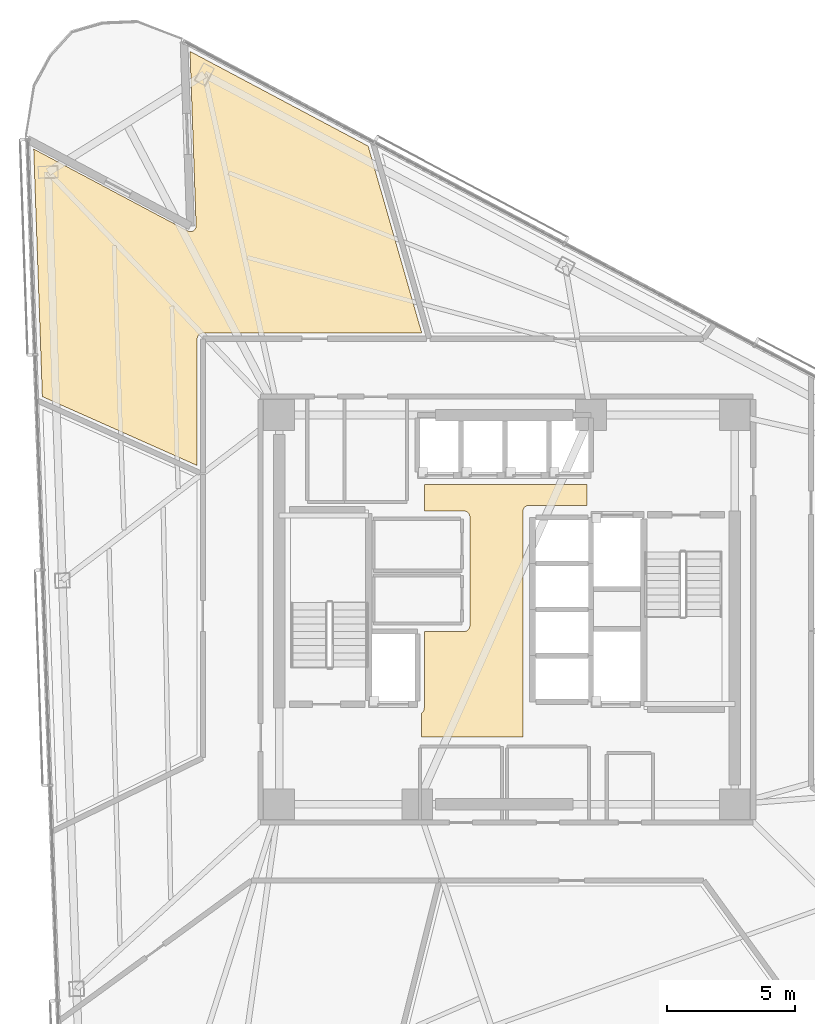
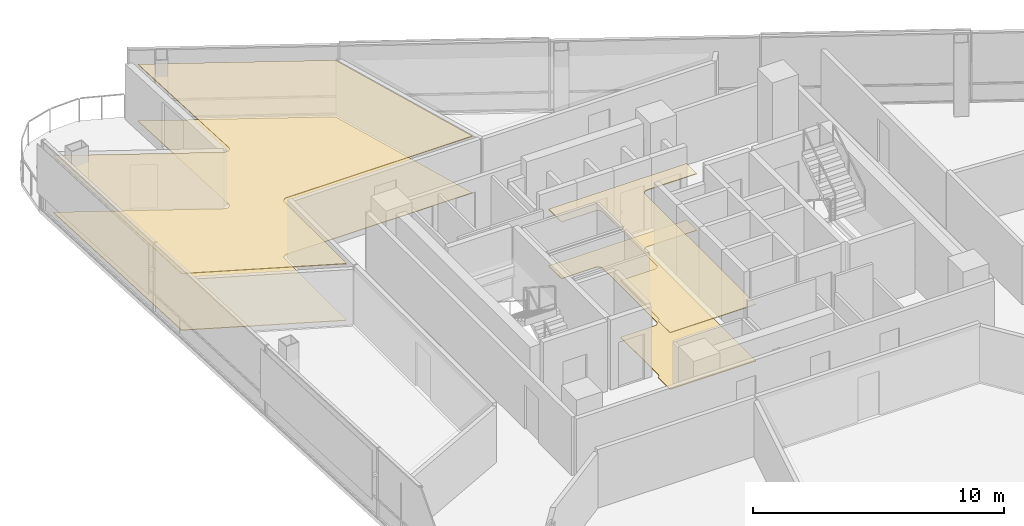
# One storey, part 19 of 21: 4 coverings.
"""IFC4 building model written with IfcOpenShell, lengths in metres."""

from ifc_helpers import new_model, si_unit, direction, frame, origin, place, context, subcontext, project, spatial, polyline, outline, extrude, material, layer, layer_set, type_object, element, save


model = new_model("IFC4")

# Units and contexts
model_context = context("Model", 3, precision=1e-05, world=origin(), true_north=direction((0.0, 1.0)))
body_context = subcontext(model_context, "Body", "Model", "MODEL_VIEW")
ifc_project = project(units=[si_unit("LENGTHUNIT", "METRE"), si_unit("AREAUNIT", "SQUARE_METRE"), si_unit("VOLUMEUNIT", "CUBIC_METRE"), si_unit("PLANEANGLEUNIT", "RADIAN"), si_unit("MASSUNIT", "GRAM", prefix="KILO")], contexts=[model_context])

# Site, building, storey
site_placement = place(None, origin())
site = spatial("IfcSite", under=ifc_project, at=site_placement, CompositionType="ELEMENT")
building_placement = place(site_placement, origin())
building = spatial("IfcBuilding", under=site, at=building_placement, Name="Tharavind Bronze Gate", CompositionType="ELEMENT")
storey_placement = place(building_placement, frame((0.0, 0.0, 156.800048828125)))
storey = spatial("IfcBuildingStorey", under=building, at=storey_placement, Name="L40", CompositionType="ELEMENT", Elevation=156.800048828125)

# Coverings
ifc_material_1 = material(Name="Perforated Bronze Acoustic Panel", Category="bronze")
ifc_layer_1 = layer(ifc_material_1, 0.044921875)
ifc_layer_set_1 = layer_set([ifc_layer_1], Name="Perforated Bronze Acoustic Panel")
covering_type_1 = type_object("IfcCoveringType", Name="ACOUSTIC BRONZE BAFFLE CEILING", PredefinedType="CEILING", material=ifc_layer_set_1)
covering_1_placement = place(storey_placement, frame((0.0, 0.0, 2.75)))
element("IfcCovering", 1, at=covering_1_placement, inside=storey, type_object=covering_type_1, Name="L40-C-LL suspended ceiling", PredefinedType="CEILING", context=body_context, shape_type="SweptSolid", body=[
    extrude(outline(polyline([(-3.330078125, -4.97998046875), (0.6298828125, -4.97998046875), (0.6298828125, 3.85009765625), (0.631103515625, 3.87158203125), (0.63427734375, 3.892822265625), (0.639404296875, 3.913818359375), (0.646728515625, 3.93408203125), (0.656005859375, 3.95361328125), (0.6669921875, 3.97216796875), (0.679931640625, 3.989501953125), (0.6943359375, 4.005615234375), (0.71044921875, 4.02001953125), (0.727783203125, 4.032958984375), (0.746337890625, 4.0439453125), (0.765869140625, 4.05322265625), (0.7861328125, 4.060546875), (0.80712890625, 4.06591796875), (0.828369140625, 4.06884765625), (0.85009765625, 4.070068359375), (3.1298828125, 4.070068359375), (3.1298828125, 4.8798828125), (-3.22998046875, 4.8798828125), (-3.22998046875, 3.85009765625), (-1.669921875, 3.85009765625), (-1.6484375, 3.848876953125), (-1.627197265625, 3.845703125), (-1.606201171875, 3.840576171875), (-1.585693359375, 3.833251953125), (-1.56640625, 3.823974609375), (-1.5478515625, 3.81298828125), (-1.530517578125, 3.800048828125), (-1.514404296875, 3.78564453125), (-1.5, 3.76953125), (-1.487060546875, 3.752197265625), (-1.47607421875, 3.733642578125), (-1.466796875, 3.714111328125), (-1.45947265625, 3.69384765625), (-1.4541015625, 3.6728515625), (-1.451171875, 3.651611328125), (-1.449951171875, 3.6298828125), (-1.449951171875, 1.43994140625), (-1.450439453125, 1.429931640625), (-1.449951171875, 1.419921875), (-1.449951171875, -0.6298828125), (-1.451171875, -0.651611328125), (-1.4541015625, -0.6728515625), (-1.45947265625, -0.69384765625), (-1.466796875, -0.714111328125), (-1.47607421875, -0.733642578125), (-1.487060546875, -0.752197265625), (-1.5, -0.76953125), (-1.514404296875, -0.78564453125), (-1.530517578125, -0.800048828125), (-1.5478515625, -0.81298828125), (-1.56640625, -0.823974609375), (-1.585693359375, -0.833251953125), (-1.606201171875, -0.840576171875), (-1.627197265625, -0.845703125), (-1.6484375, -0.848876953125), (-1.669921875, -0.85009765625), (-3.22998046875, -0.85009765625), (-3.22998046875, -3.85009765625), (-3.231201171875, -3.87158203125), (-3.234130859375, -3.892822265625), (-3.239501953125, -3.913818359375), (-3.24658203125, -3.93408203125), (-3.256103515625, -3.95361328125), (-3.26708984375, -3.97216796875), (-3.27978515625, -3.989501953125), (-3.29443359375, -4.005615234375), (-3.310302734375, -4.02001953125), (-3.327880859375, -4.032958984375), (-3.330078125, -4.0341796875), (-3.330078125, -4.97998046875)])), origin(), (0.0, 0.0, 1.0), 0.034912109375),
])
ifc_material_2 = material(Name="Engineered Oak & Carpet Tile", Category="wood")
ifc_layer_2 = layer(ifc_material_2, 0.02490234375)
ifc_layer_set_2 = layer_set([ifc_layer_2], Name="Engineered Oak & Carpet Tile")
covering_type_2 = type_object("IfcCoveringType", Name="ENGINEERED TIMBER FLOORING", PredefinedType="FLOORING", material=ifc_layer_set_2)
covering_2_placement = place(storey_placement, origin())
element("IfcCovering", 2, at=covering_2_placement, inside=storey, type_object=covering_type_2, Name="L40-RM-02 floor finish", PredefinedType="FLOORING", context=body_context, shape_type="SweptSolid", body=[
    extrude(outline(polyline([(-18.14892578125, 8.3212890625), (-12.10009765625, 5.628173828125), (-12.10009765625, 10.579345703125), (-12.099609375, 10.590087890625), (-12.099609375, 10.5908203125), (-12.09765625, 10.6123046875), (-12.093505859375, 10.63330078125), (-12.087158203125, 10.654052734375), (-12.078857421875, 10.674072265625), (-12.068603515625, 10.693115234375), (-12.056640625, 10.7109375), (-12.04296875, 10.727783203125), (-12.027587890625, 10.742919921875), (-12.010986328125, 10.756591796875), (-11.9931640625, 10.768798828125), (-11.97412109375, 10.77880859375), (-11.9541015625, 10.787109375), (-11.933349609375, 10.79345703125), (-11.912353515625, 10.797607421875), (-11.890869140625, 10.7998046875), (-11.89013671875, 10.7998046875), (-11.87939453125, 10.800048828125), (-3.32568359375, 10.800048828125), (-5.420654296875, 18.10595703125), (-12.380615234375, 21.806884765625), (-12.142822265625, 14.99267578125), (-12.142578125, 14.981689453125), (-12.142578125, 14.981201171875), (-12.14404296875, 14.959228515625), (-12.147705078125, 14.9375), (-12.1533203125, 14.91650390625), (-12.1611328125, 14.89599609375), (-12.1708984375, 14.876220703125), (-12.1826171875, 14.857666015625), (-12.1962890625, 14.84033203125), (-12.21142578125, 14.82470703125), (-12.22802734375, 14.810302734375), (-12.24609375, 14.7978515625), (-12.26513671875, 14.787109375), (-12.285400390625, 14.7783203125), (-12.30615234375, 14.771728515625), (-12.32763671875, 14.76708984375), (-12.349609375, 14.7646484375), (-12.371337890625, 14.764404296875), (-12.393310546875, 14.7666015625), (-12.414794921875, 14.7705078125), (-12.435791015625, 14.77685546875), (-12.4560546875, 14.78515625), (-12.45654296875, 14.785400390625), (-12.46630859375, 14.790283203125), (-18.486572265625, 17.991455078125), (-18.14892578125, 8.3212890625)])), origin(), (0.0, 0.0, 1.0), 0.02490234375),
])
ifc_material_3 = material(Name="Acoustic Gypsum Board", Category="gypsum")
ifc_layer_3 = layer(ifc_material_3, 0.030029296875)
ifc_layer_set_3 = layer_set([ifc_layer_3], Name="Acoustic Gypsum Board")
covering_type_3 = type_object("IfcCoveringType", Name="GYPSUM SUSPENDED CEILING", PredefinedType="CEILING", material=ifc_layer_set_3)
covering_3_placement = place(storey_placement, frame((0.0, 0.0, 2.75)))
element("IfcCovering", 3, at=covering_3_placement, inside=storey, type_object=covering_type_3, Name="L40-RM-02 suspended ceiling", PredefinedType="CEILING", context=body_context, shape_type="SweptSolid", body=[
    extrude(outline(polyline([(-18.14892578125, 8.3212890625), (-12.10009765625, 5.628173828125), (-12.10009765625, 10.579345703125), (-12.099609375, 10.590087890625), (-12.099609375, 10.5908203125), (-12.09765625, 10.6123046875), (-12.093505859375, 10.63330078125), (-12.087158203125, 10.654052734375), (-12.078857421875, 10.674072265625), (-12.068603515625, 10.693115234375), (-12.056640625, 10.7109375), (-12.04296875, 10.727783203125), (-12.027587890625, 10.742919921875), (-12.010986328125, 10.756591796875), (-11.9931640625, 10.768798828125), (-11.97412109375, 10.77880859375), (-11.9541015625, 10.787109375), (-11.933349609375, 10.79345703125), (-11.912353515625, 10.797607421875), (-11.890869140625, 10.7998046875), (-11.89013671875, 10.7998046875), (-11.87939453125, 10.800048828125), (-3.32568359375, 10.800048828125), (-5.420654296875, 18.10595703125), (-12.380615234375, 21.806884765625), (-12.142822265625, 14.99267578125), (-12.142578125, 14.981689453125), (-12.142578125, 14.981201171875), (-12.14404296875, 14.959228515625), (-12.147705078125, 14.9375), (-12.1533203125, 14.91650390625), (-12.1611328125, 14.89599609375), (-12.1708984375, 14.876220703125), (-12.1826171875, 14.857666015625), (-12.1962890625, 14.84033203125), (-12.21142578125, 14.82470703125), (-12.22802734375, 14.810302734375), (-12.24609375, 14.7978515625), (-12.26513671875, 14.787109375), (-12.285400390625, 14.7783203125), (-12.30615234375, 14.771728515625), (-12.32763671875, 14.76708984375), (-12.349609375, 14.7646484375), (-12.371337890625, 14.764404296875), (-12.393310546875, 14.7666015625), (-12.414794921875, 14.7705078125), (-12.435791015625, 14.77685546875), (-12.4560546875, 14.78515625), (-12.45654296875, 14.785400390625), (-12.46630859375, 14.790283203125), (-18.486572265625, 17.991455078125), (-18.14892578125, 8.3212890625)])), origin(), (0.0, 0.0, 1.0), 0.034912109375),
])
ifc_material_4 = material(Name="Honed Travertine Limestone", Category="masonry")
ifc_layer_4 = layer(ifc_material_4, 0.030029296875)
ifc_layer_set_4 = layer_set([ifc_layer_4], Name="Honed Travertine Limestone")
covering_type_4 = type_object("IfcCoveringType", Name="HONED LIMESTONE FLOORING", PredefinedType="FLOORING", material=ifc_layer_set_4)
covering_4_placement = place(storey_placement, origin())
element("IfcCovering", 4, at=covering_4_placement, inside=storey, type_object=covering_type_4, Name="L40-C-LL floor finish", PredefinedType="FLOORING", context=body_context, shape_type="SweptSolid", body=[
    extrude(outline(polyline([(-3.330078125, -4.97998046875), (0.6298828125, -4.97998046875), (0.6298828125, 3.85009765625), (0.631103515625, 3.87158203125), (0.63427734375, 3.892822265625), (0.639404296875, 3.913818359375), (0.646728515625, 3.93408203125), (0.656005859375, 3.95361328125), (0.6669921875, 3.97216796875), (0.679931640625, 3.989501953125), (0.6943359375, 4.005615234375), (0.71044921875, 4.02001953125), (0.727783203125, 4.032958984375), (0.746337890625, 4.0439453125), (0.765869140625, 4.05322265625), (0.7861328125, 4.060546875), (0.80712890625, 4.06591796875), (0.828369140625, 4.06884765625), (0.85009765625, 4.070068359375), (3.1298828125, 4.070068359375), (3.1298828125, 4.8798828125), (-3.22998046875, 4.8798828125), (-3.22998046875, 3.85009765625), (-1.669921875, 3.85009765625), (-1.6484375, 3.848876953125), (-1.627197265625, 3.845703125), (-1.606201171875, 3.840576171875), (-1.585693359375, 3.833251953125), (-1.56640625, 3.823974609375), (-1.5478515625, 3.81298828125), (-1.530517578125, 3.800048828125), (-1.514404296875, 3.78564453125), (-1.5, 3.76953125), (-1.487060546875, 3.752197265625), (-1.47607421875, 3.733642578125), (-1.466796875, 3.714111328125), (-1.45947265625, 3.69384765625), (-1.4541015625, 3.6728515625), (-1.451171875, 3.651611328125), (-1.449951171875, 3.6298828125), (-1.449951171875, 1.43994140625), (-1.450439453125, 1.429931640625), (-1.449951171875, 1.419921875), (-1.449951171875, -0.6298828125), (-1.451171875, -0.651611328125), (-1.4541015625, -0.6728515625), (-1.45947265625, -0.69384765625), (-1.466796875, -0.714111328125), (-1.47607421875, -0.733642578125), (-1.487060546875, -0.752197265625), (-1.5, -0.76953125), (-1.514404296875, -0.78564453125), (-1.530517578125, -0.800048828125), (-1.5478515625, -0.81298828125), (-1.56640625, -0.823974609375), (-1.585693359375, -0.833251953125), (-1.606201171875, -0.840576171875), (-1.627197265625, -0.845703125), (-1.6484375, -0.848876953125), (-1.669921875, -0.85009765625), (-3.22998046875, -0.85009765625), (-3.22998046875, -3.85009765625), (-3.231201171875, -3.87158203125), (-3.234130859375, -3.892822265625), (-3.239501953125, -3.913818359375), (-3.24658203125, -3.93408203125), (-3.256103515625, -3.95361328125), (-3.26708984375, -3.97216796875), (-3.27978515625, -3.989501953125), (-3.29443359375, -4.005615234375), (-3.310302734375, -4.02001953125), (-3.327880859375, -4.032958984375), (-3.330078125, -4.0341796875), (-3.330078125, -4.97998046875)])), origin(), (0.0, 0.0, 1.0), 0.02490234375),
])

save(model, "model.ifc")
